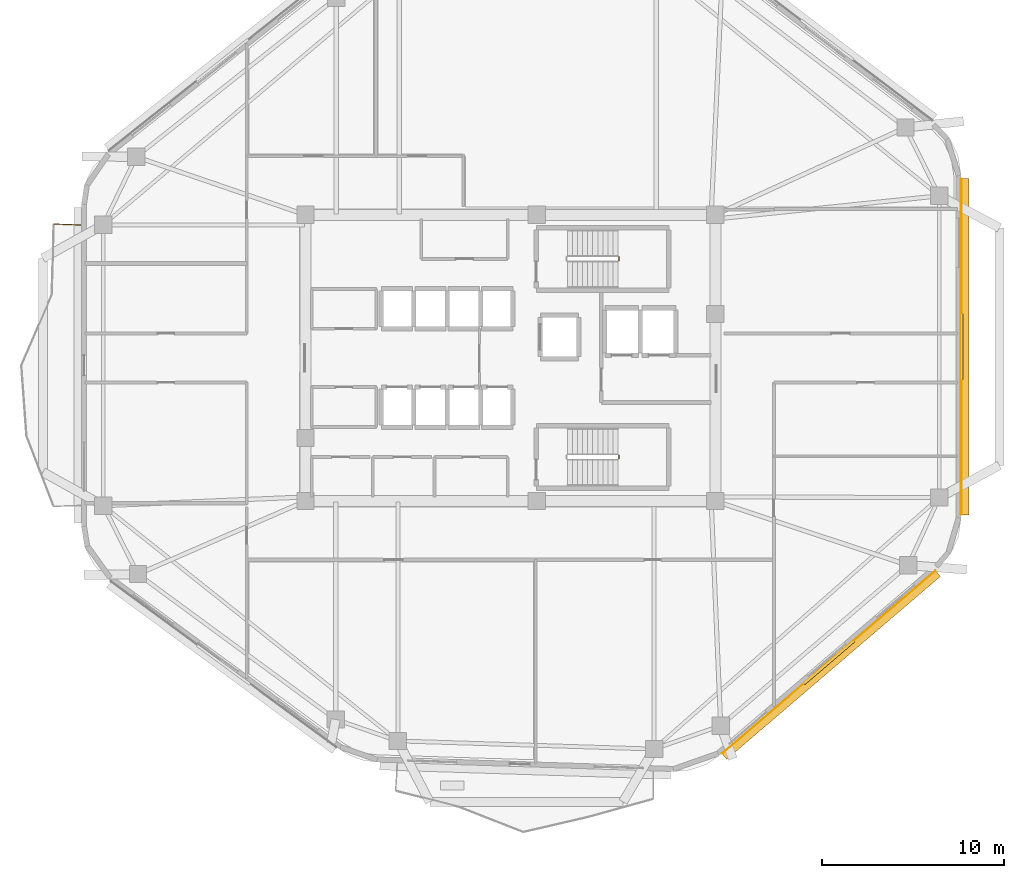
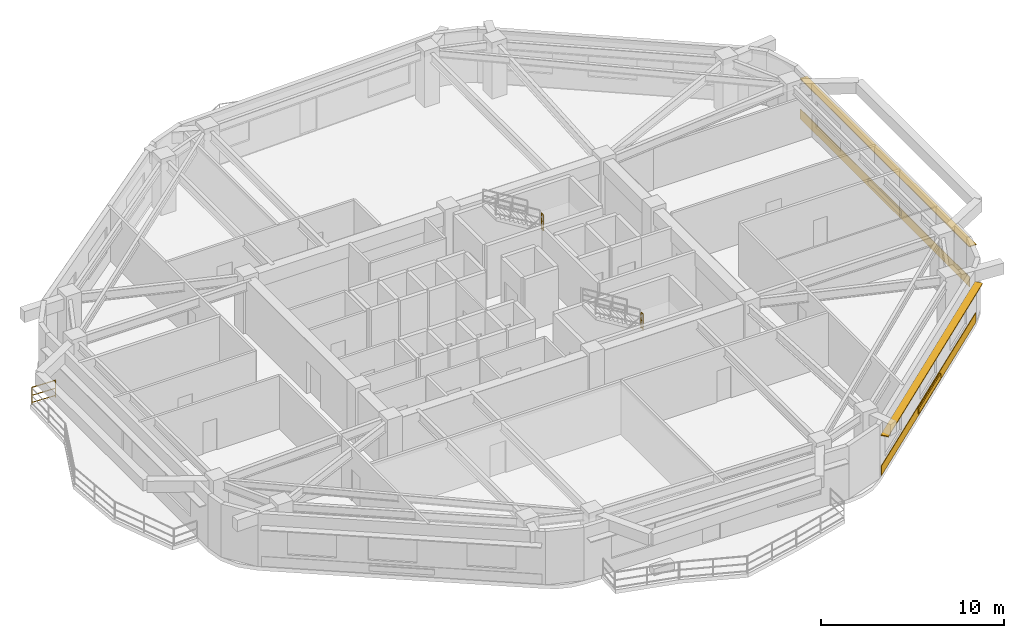
# One storey, part 8 of 9: 4 shading devices, 3 railings, 2 coverings.
"""IFC4 building model written with IfcOpenShell, lengths in metres."""

from ifc_helpers import new_model, si_unit, direction, frame, origin, origin_2d, place, context, subcontext, project, spatial, rectangle, extrude, material, layer, layer_set, type_object, element, save


model = new_model("IFC4")

# Units and contexts
model_context = context("Model", 3, precision=1e-05, world=origin(), true_north=direction((0.0, 1.0)))
body_context = subcontext(model_context, "Body", "Model", "MODEL_VIEW")
ifc_project = project(units=[si_unit("LENGTHUNIT", "METRE"), si_unit("AREAUNIT", "SQUARE_METRE"), si_unit("VOLUMEUNIT", "CUBIC_METRE"), si_unit("PLANEANGLEUNIT", "RADIAN"), si_unit("MASSUNIT", "GRAM", prefix="KILO")], contexts=[model_context])

# Site, building, storey
site_placement = place(None, origin())
site = spatial("IfcSite", under=ifc_project, at=site_placement, CompositionType="ELEMENT")
building_placement = place(site_placement, origin())
building = spatial("IfcBuilding", under=site, at=building_placement, Name="Zulverin Broadcast Headquarters", CompositionType="ELEMENT")
storey_placement = place(building_placement, frame((0.0, 0.0, 189.60009765625)))
storey = spatial("IfcBuildingStorey", under=building, at=storey_placement, Name="L48", CompositionType="ELEMENT", Elevation=189.60009765625)

# Coverings
ifc_material_1 = material(Name="Brushed pale-aluminium rainscreen cladding", Category="aluminium")
ifc_layer_1 = layer(ifc_material_1, 0.0400390625, Name="Brushed pale-aluminium rainscreen cladding", Category="aluminium")
ifc_layer_set_1 = layer_set([ifc_layer_1], Name="Brushed pale-aluminium rainscreen cladding")
covering_type = type_object("IfcCoveringType", Name="COV-CLAD-PALE", PredefinedType="CLADDING", material=ifc_layer_set_1)
covering_1_placement = place(storey_placement, frame((54.51513671875, 8.46337890625, 0.054931640625), z_axis=(0.0, 0.0, 1.0), x_axis=(0.759706154917, 0.650266528572, 0.0)))
element("IfcCovering", 1, at=covering_1_placement, inside=storey, type_object=covering_type, Name="L48 Brushed Pale-Aluminium Spandrel Cladding 2", PredefinedType="CLADDING", context=body_context, shape_type="SweptSolid", body=[
    extrude(rectangle(XDim=15.48095703125, YDim=0.0400390625, at=origin_2d()), origin(), (0.0, 0.0, 1.0), 0.64990234375),
])
covering_2_placement = place(storey_placement, frame((61.81005859375, 25.8203125, 0.054931640625), z_axis=(0.0, 0.0, 1.0), x_axis=(0.0, 1.0, 0.0)))
element("IfcCovering", 2, at=covering_2_placement, inside=storey, type_object=covering_type, Name="L48 Brushed Pale-Aluminium Spandrel Cladding 3", PredefinedType="CLADDING", context=body_context, shape_type="SweptSolid", body=[
    extrude(rectangle(XDim=18.502197265625, YDim=0.0400390625, at=origin_2d()), origin(), (0.0, 0.0, 1.0), 0.64990234375),
])

# Railings
ifc_material_2 = material(Name="Brushed stainless steel & laminated glass balustrade", Category="steel")
railing_type_1 = type_object("IfcRailingType", Name="RL-GUARD-1150", PredefinedType="GUARDRAIL", material=ifc_material_2)
railing_1_placement = place(storey_placement, frame((13.360107421875, 32.51318359375, 0.0)))
element("IfcRailing", 3, at=railing_1_placement, inside=storey, type_object=railing_type_1, Name="L48 Vertical-Forest Balcony Guardrail BAL_W Segment 01", PredefinedType="GUARDRAIL", context=body_context, shape_type="SweptSolid", body=[
    extrude(rectangle(XDim=0.048095703125, YDim=0.048095703125, at=origin_2d()), frame((0.0, 0.0, 1.1259765625), z_axis=(-0.999181155166, 0.040460093435, 0.0), x_axis=(-0.040460093435, -0.999181155166, 0.0)), (0.0, 0.0, 1.0), 1.46630859375),
    extrude(rectangle(XDim=0.0419921875, YDim=0.0419921875, at=origin_2d()), frame((0.0, 0.0, 0.597900390625), z_axis=(-0.999181155166, 0.040460093435, 0.0), x_axis=(-0.040460093435, -0.999181155166, 0.0)), (0.0, 0.0, 1.0), 1.46630859375),
    extrude(rectangle(XDim=0.0419921875, YDim=0.0419921875, at=origin_2d()), frame((0.0, 0.0, 0.1201171875), z_axis=(-0.999181155166, 0.040460093435, 0.0), x_axis=(-0.040460093435, -0.999181155166, 0.0)), (0.0, 0.0, 1.0), 1.46630859375),
    extrude(rectangle(XDim=0.0419921875, YDim=0.0419921875, at=origin_2d()), origin(), (0.0, 0.0, 1.0), 1.101806640625),
    extrude(rectangle(XDim=0.0419921875, YDim=0.0419921875, at=origin_2d()), frame((-1.465087890625, 0.059326171875, 0.0)), (0.0, 0.0, 1.0), 1.101806640625),
])
ifc_material_3 = material(Name="Painted galvanized steel tubular guardrail S355JR", Category="steel")
railing_type_2 = type_object("IfcRailingType", Name="RL-ST-GUARD", PredefinedType="GUARDRAIL", material=ifc_material_3)
railing_2_placement = place(storey_placement, frame((42.97998046875, 30.550048828125, 1.89990234375)))
element("IfcRailing", 4, at=railing_2_placement, inside=storey, type_object=railing_type_2, Name="L48 ST-1 stair guard 2", PredefinedType="GUARDRAIL", context=body_context, shape_type="SweptSolid", body=[
    extrude(rectangle(XDim=0.048095703125, YDim=0.048095703125, at=origin_2d()), frame((0.0, 0.0, 1.076171875), z_axis=(0.0, 1.0, 0.0), x_axis=(-1.0, 0.0, 0.0)), (0.0, 0.0, 1.0), 0.199951171875),
    extrude(rectangle(XDim=0.0419921875, YDim=0.0419921875, at=origin_2d()), frame((0.0, 0.0, 0.572021484375), z_axis=(0.0, 1.0, 0.0), x_axis=(-1.0, 0.0, 0.0)), (0.0, 0.0, 1.0), 0.199951171875),
    extrude(rectangle(XDim=0.0419921875, YDim=0.0419921875, at=origin_2d()), frame((0.0, 0.0, 0.1201171875), z_axis=(0.0, 1.0, 0.0), x_axis=(-1.0, 0.0, 0.0)), (0.0, 0.0, 1.0), 0.199951171875),
    extrude(rectangle(XDim=0.0419921875, YDim=0.0419921875, at=origin_2d()), origin(), (0.0, 0.0, 1.0), 1.052001953125),
    extrude(rectangle(XDim=0.0419921875, YDim=0.0419921875, at=origin_2d()), frame((0.0, 0.199951171875, 0.0)), (0.0, 0.0, 1.0), 1.052001953125),
])
railing_3_placement = place(storey_placement, frame((42.97998046875, 19.64990234375, 1.89990234375)))
element("IfcRailing", 5, at=railing_3_placement, inside=storey, type_object=railing_type_2, Name="L48 ST-2 stair guard 2", PredefinedType="GUARDRAIL", context=body_context, shape_type="SweptSolid", body=[
    extrude(rectangle(XDim=0.048095703125, YDim=0.048095703125, at=origin_2d()), frame((0.0, 0.0, 1.076171875), z_axis=(0.0, 1.0, 0.0), x_axis=(-1.0, 0.0, 0.0)), (0.0, 0.0, 1.0), 0.2001953125),
    extrude(rectangle(XDim=0.0419921875, YDim=0.0419921875, at=origin_2d()), frame((0.0, 0.0, 0.572021484375), z_axis=(0.0, 1.0, 0.0), x_axis=(-1.0, 0.0, 0.0)), (0.0, 0.0, 1.0), 0.2001953125),
    extrude(rectangle(XDim=0.0419921875, YDim=0.0419921875, at=origin_2d()), frame((0.0, 0.0, 0.1201171875), z_axis=(0.0, 1.0, 0.0), x_axis=(-1.0, 0.0, 0.0)), (0.0, 0.0, 1.0), 0.2001953125),
    extrude(rectangle(XDim=0.0419921875, YDim=0.0419921875, at=origin_2d()), origin(), (0.0, 0.0, 1.0), 1.052001953125),
    extrude(rectangle(XDim=0.0419921875, YDim=0.0419921875, at=origin_2d()), frame((0.0, 0.2001953125, 0.0)), (0.0, 0.0, 1.0), 1.052001953125),
])

# Shading devices
ifc_material_4 = material(Name="Anodized pale-metal aluminium acoustic louvre", Category="aluminium")
shading_device_type_1 = type_object("IfcShadingDeviceType", Name="SHD-LOUVRE-350", PredefinedType="USERDEFINED", material=ifc_material_4)
for number, where, z_axis, x_axis, name in (
    (6, (54.53466796875, 8.4404296875, 0.244873046875), (0.0, 0.0, 1.0), (0.759706154917, 0.650266528572, 0.0), "L48 Spandrel Intake Louvre 2"),
    (7, (61.840087890625, 25.8203125, 0.244873046875), (0.0, 0.0, 1.0), (0.0, 1.0, 0.0), "L48 Spandrel Intake Louvre 3"),
):
    element("IfcShadingDevice", number, at=place(storey_placement, frame(where, z_axis=z_axis, x_axis=x_axis)), inside=storey, type_object=shading_device_type_1, Name=name, ObjectType="LOUVRE", PredefinedType="USERDEFINED", context=body_context, shape_type="SweptSolid", body=[
        extrude(rectangle(XDim=3.60009765625, YDim=0.1201171875, at=origin_2d()), origin(), (0.0, 0.0, 1.0), 0.35009765625),
    ])
ifc_material_5 = material(Name="Anodized pale-metal aluminium sunshade", Category="aluminium")
ifc_layer_2 = layer(ifc_material_5, 0.06005859375, Name="Anodized pale-metal aluminium sunshade", Category="aluminium")
ifc_layer_set_2 = layer_set([ifc_layer_2], Name="Anodized pale-metal aluminium sunshade")
shading_device_type_2 = type_object("IfcShadingDeviceType", Name="SS-01_PALE_METAL_ALUMINIUM_SUNSHADE", PredefinedType="USERDEFINED", material=ifc_layer_set_2)
shading_device_1_placement = place(storey_placement, frame((54.638671875, 8.319091796875, 2.7099609375), z_axis=(0.0, 0.0, 1.0), x_axis=(0.759706154917, 0.650266528572, 0.0)))
element("IfcShadingDevice", 8, at=shading_device_1_placement, inside=storey, type_object=shading_device_type_2, Name="L48 Horizontal Pale-Metal Sunshade Band 2", ObjectType="SUNSHADE", PredefinedType="USERDEFINED", context=body_context, shape_type="SweptSolid", body=[
    extrude(rectangle(XDim=15.48095703125, YDim=0.449951171875, at=origin_2d()), origin(), (0.0, 0.0, 1.0), 0.06005859375),
])
shading_device_2_placement = place(storey_placement, frame((62.0, 25.8203125, 2.7099609375), z_axis=(0.0, 0.0, 1.0), x_axis=(0.0, 1.0, 0.0)))
element("IfcShadingDevice", 9, at=shading_device_2_placement, inside=storey, type_object=shading_device_type_2, Name="L48 Horizontal Pale-Metal Sunshade Band 3", ObjectType="SUNSHADE", PredefinedType="USERDEFINED", context=body_context, shape_type="SweptSolid", body=[
    extrude(rectangle(XDim=18.502197265625, YDim=0.449951171875, at=origin_2d()), origin(), (0.0, 0.0, 1.0), 0.06005859375),
])

save(model, "model.ifc")
